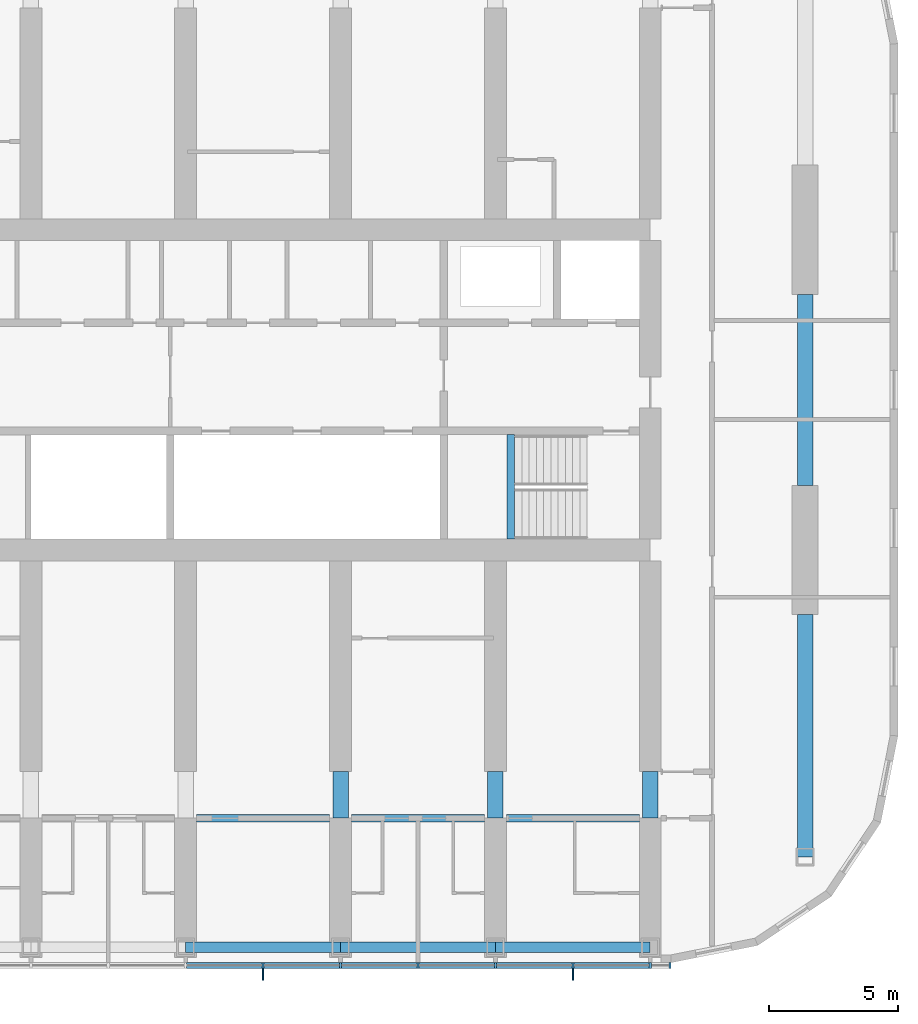
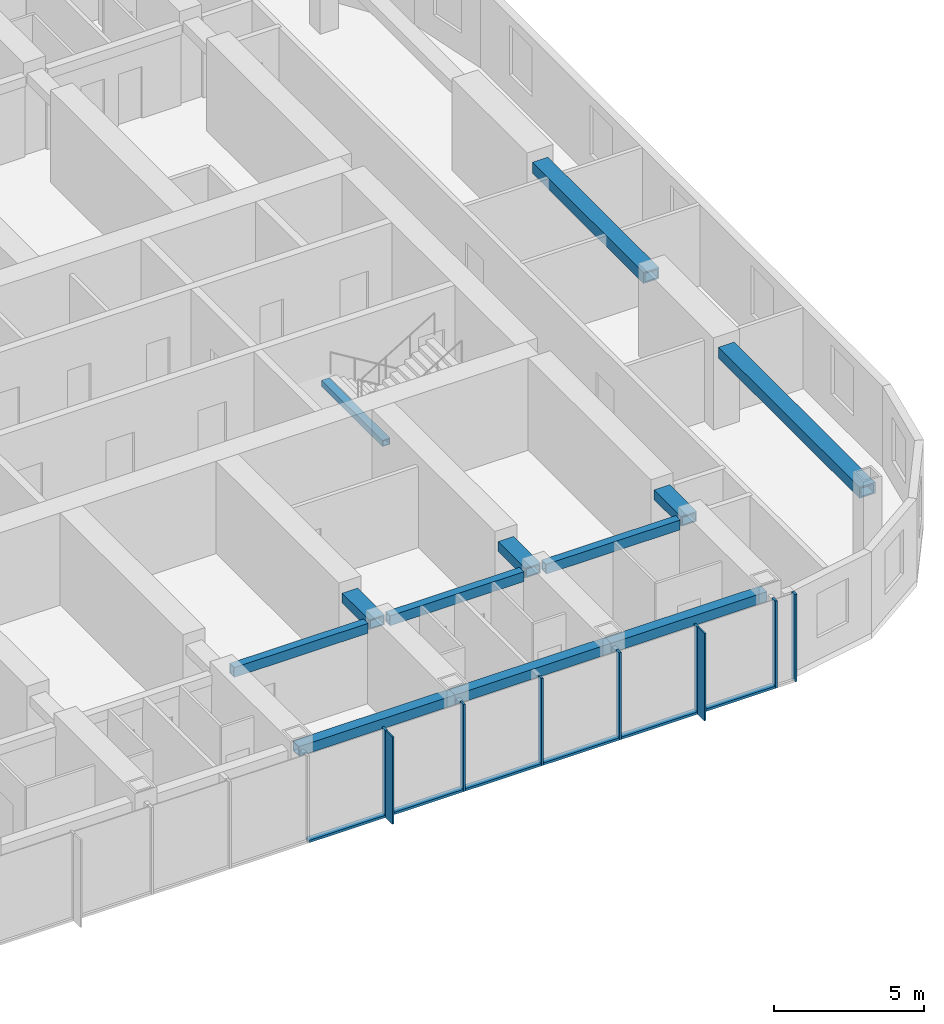
# One storey, part 3 of 23: 15 members, 12 beams, 1 element without a shape of its own.
"""IFC4 building model written with IfcOpenShell, lengths in metres."""

import ifcopenshell
import ifcopenshell.guid

model = None  # the IFC model being written
_history = None  # IfcOwnerHistory: only IFC2X3 demands one
_inside = {}  # id of a spatial element -> (the spatial element, [elements in it])
_under = {}  # id of a project, library or spatial element -> (it, [spatial elements below it])
_declared = {}  # id of a project -> (the project, [libraries it declares])
_typed = {}  # id of a type object -> (the type object, [elements of that type])
_made_of = {}  # id of a material, layer set ... -> (it, [elements and type objects made of it])


def new_model(schema):
    """Start an empty IFC model of exactly this schema.

    Asked for "IFC4X3", IfcOpenShell would pick the latest addendum, in which some entities
    have other attributes; the version numbers below select the first issue.
    IFC2X3 requires an IfcOwnerHistory on every rooted entity: one is made here for all.
    """
    global model, _history
    if schema == "IFC4X3":
        model = ifcopenshell.file(schema_version=(4, 3, 0, 0))
    else:
        model = ifcopenshell.file(schema=schema)
    _inside.clear()
    _under.clear()
    _declared.clear()
    _typed.clear()
    _made_of.clear()
    _history = None
    if model.schema == "IFC2X3":
        org = make("IfcOrganization", Name="unknown")
        user = make(
            "IfcPersonAndOrganization",
            ThePerson=make("IfcPerson", FamilyName="unknown"),
            TheOrganization=org,
        )
        app = make(
            "IfcApplication",
            ApplicationDeveloper=org,
            Version="unknown",
            ApplicationFullName="unknown",
            ApplicationIdentifier="unknown",
        )
        _history = make(
            "IfcOwnerHistory",
            OwningUser=user,
            OwningApplication=app,
            ChangeAction="ADDED",
            CreationDate=0,
        )
    return model


def make(cls, **values):
    """One entity of the class cls with the attributes given. An attribute that is None is left unset."""
    return model.create_entity(
        cls, **{name: value for name, value in values.items() if value is not None}
    )


def rooted(cls, **values):
    """An entity with a GlobalId (a new one), such as an element, a storey or a relation."""
    return make(cls, GlobalId=ifcopenshell.guid.new(), OwnerHistory=_history, **values)


def si_unit(unit_type, name, prefix=None):
    """IfcSIUnit, for example si_unit("LENGTHUNIT", "METRE", prefix="MILLI")."""
    return make("IfcSIUnit", UnitType=unit_type, Prefix=prefix, Name=name)


def assignment(units):
    """IfcUnitAssignment: the units of a project."""
    return None if units is None else make("IfcUnitAssignment", Units=units)


def point(xyz):
    """IfcCartesianPoint."""
    return None if xyz is None else make("IfcCartesianPoint", Coordinates=xyz)


def direction(xyz):
    """IfcDirection."""
    return None if xyz is None else make("IfcDirection", DirectionRatios=xyz)


def frame(location, z_axis=None, x_axis=None):
    """IfcAxis2Placement3D, a coordinate frame: its origin and axes. An axis left out is left unset."""
    return make(
        "IfcAxis2Placement3D",
        Location=point(location),
        Axis=direction(z_axis),
        RefDirection=direction(x_axis),
    )


def frame_2d(location, x_axis=None):
    """IfcAxis2Placement2D, a coordinate frame in the plane: its origin and x axis."""
    return make(
        "IfcAxis2Placement2D", Location=point(location), RefDirection=direction(x_axis)
    )


def origin():
    """The frame at (0, 0, 0) with its axes left unset."""
    return frame((0.0, 0.0, 0.0))


def origin_2d():
    """The frame at (0, 0) in the plane with its x axis left unset."""
    return frame_2d((0.0, 0.0))


def place(relative_to, where):
    """IfcLocalPlacement: puts the frame where relative to a parent placement (None: the world)."""
    return make(
        "IfcLocalPlacement", PlacementRelTo=relative_to, RelativePlacement=where
    )


def context(
    kind, dimensions, precision=None, world=None, true_north=None, identifier=None
):
    """IfcGeometricRepresentationContext, for example the 3D "Model" context."""
    return make(
        "IfcGeometricRepresentationContext",
        ContextIdentifier=identifier,
        ContextType=kind,
        CoordinateSpaceDimension=dimensions,
        Precision=precision,
        WorldCoordinateSystem=world,
        TrueNorth=true_north,
    )


def subcontext(parent, identifier, kind, view, scale=None):
    """IfcGeometricRepresentationSubContext, for example "Body" below "Model"."""
    return make(
        "IfcGeometricRepresentationSubContext",
        ContextIdentifier=identifier,
        ContextType=kind,
        ParentContext=parent,
        TargetScale=scale,
        TargetView=view,
    )


def project(units=None, contexts=None):
    """IfcProject with its units and contexts."""
    return rooted(
        "IfcProject",
        Name="project",
        RepresentationContexts=contexts,
        UnitsInContext=assignment(units),
    )


def spatial(cls, under=None, at=None, **own):
    """A site, building, storey or space (cls), placed at a placement, below another one or the project."""
    s = rooted(cls, ObjectPlacement=at, **own)
    if under is not None:
        _under.setdefault(under.id(), (under, []))[1].append(s)
    return s


def profile(cls, at=None, kind="AREA", **sizes):
    """A parametric profile (cls). Its sizes go by their IFC names, for example OverallWidth=200.0."""
    return make(cls, ProfileType=kind, Position=at, **sizes)


def rectangle(**sizes):
    """IfcRectangleProfileDef."""
    return profile("IfcRectangleProfileDef", **sizes)


def hollow_rectangle(**sizes):
    """IfcRectangleHollowProfileDef."""
    return profile("IfcRectangleHollowProfileDef", **sizes)


def extrude(swept, where, along, depth):
    """IfcExtrudedAreaSolid: the profile swept, set in the frame where, extruded along a direction by depth."""
    return make(
        "IfcExtrudedAreaSolid",
        SweptArea=swept,
        Position=where,
        ExtrudedDirection=direction(along),
        Depth=depth,
    )


def shape(context_of_items, identifier, shape_type, items):
    """IfcShapeRepresentation: the items that make up one representation, for example the "Body"."""
    return make(
        "IfcShapeRepresentation",
        ContextOfItems=context_of_items,
        RepresentationIdentifier=identifier,
        RepresentationType=shape_type,
        Items=items,
    )


def material(Name=None, Category=None):
    """IfcMaterial."""
    return make("IfcMaterial", Name=Name, Category=Category)


def material_profile(
    of_material, cross_section, Name=None, Category=None, Priority=None
):
    """IfcMaterialProfile: a cross section and its material."""
    return make(
        "IfcMaterialProfile",
        Name=Name,
        Material=of_material,
        Profile=cross_section,
        Priority=Priority,
        Category=Category,
    )


def profile_set(profiles, Name=None, composite=None):
    """IfcMaterialProfileSet."""
    return make(
        "IfcMaterialProfileSet",
        Name=Name,
        MaterialProfiles=profiles,
        CompositeProfile=composite,
    )


def made_of(thing, what):
    """Note that an element or type object is made of a material, layer set ...; save() writes the relation."""
    if what is not None:
        _made_of.setdefault(what.id(), (what, []))[1].append(thing)
    return thing


def type_object(cls, material=None, **own):
    """A type object (cls), such as IfcWallType, which elements share."""
    return made_of(rooted(cls, **own), material)


def element(
    cls,
    number,
    at=None,
    inside=None,
    cuts=None,
    type_object=None,
    material=None,
    context=None,
    identifier="Body",
    shape_type=None,
    held_by="IfcProductDefinitionShape",
    body=None,
    shapes=None,
    **own,
):
    """One element of the class cls, such as IfcWall. Its Tag is "e" and its number.

    at: its placement. inside: the storey or other place that contains it. cuts: it is an
    opening in that element (IfcRelVoidsElement). A single representation is given by context,
    identifier, shape_type and body (its items); several are given by shapes. held_by: the class
    of the entity that holds the representations. save() writes the other relations.
    """
    e = rooted(cls, Tag="e%d" % number, ObjectPlacement=at, **own)
    if body is not None:
        shapes = [shape(context, identifier, shape_type, body)]
    if shapes is not None:
        e.Representation = make(held_by, Representations=shapes)
    if inside is not None:
        _inside.setdefault(inside.id(), (inside, []))[1].append(e)
    if cuts is not None:
        rooted(
            "IfcRelVoidsElement", RelatingBuildingElement=cuts, RelatedOpeningElement=e
        )
    if type_object is not None:
        _typed.setdefault(type_object.id(), (type_object, []))[1].append(e)
    return made_of(e, material)


def aggregate(whole, parts):
    """IfcRelAggregates: a whole, such as a stair, and the parts it consists of."""
    return rooted("IfcRelAggregates", RelatingObject=whole, RelatedObjects=parts)


def save(model, path):
    """Write the relations noted so far, then the file.

    IfcRelAggregates (storeys below a building ...), IfcRelContainedInSpatialStructure (elements
    in a storey), IfcRelDefinesByType, IfcRelAssociatesMaterial and IfcRelDeclares: one each for
    every whole, place, type object, material and project.
    """
    for whole, parts in _under.values():
        aggregate(whole, parts)
    for where, things in _inside.values():
        rooted(
            "IfcRelContainedInSpatialStructure",
            RelatedElements=things,
            RelatingStructure=where,
        )
    for kind, things in _typed.values():
        rooted("IfcRelDefinesByType", RelatedObjects=things, RelatingType=kind)
    for what, things in _made_of.values():
        rooted("IfcRelAssociatesMaterial", RelatedObjects=things, RelatingMaterial=what)
    for by, libraries in _declared.values():
        rooted("IfcRelDeclares", RelatingContext=by, RelatedDefinitions=libraries)
    model.write(path)


model = new_model("IFC4")

# Units and contexts
model_context = context("Model", 3, precision=1e-05, world=origin(), true_north=direction((0.0, 1.0)))
body_context = subcontext(model_context, "Body", "Model", "MODEL_VIEW")
ifc_project = project(units=[si_unit("LENGTHUNIT", "METRE"), si_unit("AREAUNIT", "SQUARE_METRE"), si_unit("VOLUMEUNIT", "CUBIC_METRE"), si_unit("PLANEANGLEUNIT", "RADIAN"), si_unit("MASSUNIT", "GRAM", prefix="KILO")], contexts=[model_context])

# Site, building, storey
site_placement = place(None, origin())
site = spatial("IfcSite", under=ifc_project, at=site_placement, CompositionType="ELEMENT")
building_placement = place(site_placement, origin())
building = spatial("IfcBuilding", under=site, at=building_placement, Name="Orbita Commons", CompositionType="ELEMENT")
storey_placement = place(building_placement, frame((0.0, 0.0, 174.85009765625)))
storey = spatial("IfcBuildingStorey", under=building, at=storey_placement, Name="L43", CompositionType="ELEMENT", Elevation=174.85009765625)

# Curtain wall, members
ifc_material_1 = material(Name="Anodised aluminium frame, pale silver", Category="aluminium")
curtain_wall_type = type_object("IfcCurtainWallType", Name="Unitised curtain wall CW-U, full-height vision", PredefinedType="NOTDEFINED", material=ifc_material_1)
curtain_wall_placement = place(storey_placement, origin())
curtain_wall = element("IfcCurtainWall", 1, at=curtain_wall_placement, inside=storey, type_object=curtain_wall_type, Name="Curtain wall south L43", PredefinedType="NOTDEFINED")
ifc_material_2 = material(Name="Anodised aluminium, pale silver", Category="aluminium")
ifc_material_profile_1 = material_profile(ifc_material_2, rectangle(XDim=0.080078125, YDim=0.219970703125, at=origin_2d()), Name="AL 80x220")
ifc_profile_set_1 = profile_set([ifc_material_profile_1], Name="Anodised aluminium, pale silver")
member_type_1 = type_object("IfcMemberType", Name="Curtain wall mullion 80x220", PredefinedType="MULLION", material=ifc_profile_set_1)
member_1_placement = place(storey_placement, frame((51.0, 9.68994140625, -0.25), z_axis=(0.0, 0.0, 1.0), x_axis=(1.0, 0.0, 0.0)))
member_1 = element("IfcMember", 2, at=member_1_placement, type_object=member_type_1, Name="Mullion 13 CW-L43-S", PredefinedType="MULLION", context=body_context, shape_type="SweptSolid", body=[
    extrude(rectangle(XDim=0.080078125, YDim=0.219970703125, at=origin_2d()), origin(), (0.0, 0.0, 1.0), 3.5498046875),
])
member_2_placement = place(storey_placement, frame((54.0, 9.68994140625, -0.25), z_axis=(0.0, 0.0, 1.0), x_axis=(1.0, 0.0, 0.0)))
member_2 = element("IfcMember", 3, at=member_2_placement, type_object=member_type_1, Name="Mullion 14 CW-L43-S", PredefinedType="MULLION", context=body_context, shape_type="SweptSolid", body=[
    extrude(rectangle(XDim=0.080078125, YDim=0.219970703125, at=origin_2d()), origin(), (0.0, 0.0, 1.0), 3.5498046875),
])
member_3_placement = place(storey_placement, frame((57.0, 9.68994140625, -0.25), z_axis=(0.0, 0.0, 1.0), x_axis=(1.0, 0.0, 0.0)))
member_3 = element("IfcMember", 4, at=member_3_placement, type_object=member_type_1, Name="Mullion 15 CW-L43-S", PredefinedType="MULLION", context=body_context, shape_type="SweptSolid", body=[
    extrude(rectangle(XDim=0.080078125, YDim=0.219970703125, at=origin_2d()), origin(), (0.0, 0.0, 1.0), 3.5498046875),
])
member_4_placement = place(storey_placement, frame((60.0, 9.68994140625, -0.25), z_axis=(0.0, 0.0, 1.0), x_axis=(1.0, 0.0, 0.0)))
member_4 = element("IfcMember", 5, at=member_4_placement, type_object=member_type_1, Name="Mullion 16 CW-L43-S", PredefinedType="MULLION", context=body_context, shape_type="SweptSolid", body=[
    extrude(rectangle(XDim=0.080078125, YDim=0.219970703125, at=origin_2d()), origin(), (0.0, 0.0, 1.0), 3.5498046875),
])
member_5_placement = place(storey_placement, frame((63.0, 9.68994140625, -0.25), z_axis=(0.0, 0.0, 1.0), x_axis=(1.0, 0.0, 0.0)))
member_5 = element("IfcMember", 6, at=member_5_placement, type_object=member_type_1, Name="Mullion 17 CW-L43-S", PredefinedType="MULLION", context=body_context, shape_type="SweptSolid", body=[
    extrude(rectangle(XDim=0.080078125, YDim=0.219970703125, at=origin_2d()), origin(), (0.0, 0.0, 1.0), 3.5498046875),
])
member_6_placement = place(storey_placement, frame((66.0, 9.68994140625, -0.25), z_axis=(0.0, 0.0, 1.0), x_axis=(1.0, 0.0, 0.0)))
member_6 = element("IfcMember", 7, at=member_6_placement, type_object=member_type_1, Name="Mullion 18 CW-L43-S", PredefinedType="MULLION", context=body_context, shape_type="SweptSolid", body=[
    extrude(rectangle(XDim=0.080078125, YDim=0.219970703125, at=origin_2d()), origin(), (0.0, 0.0, 1.0), 3.5498046875),
])
member_7_placement = place(storey_placement, frame((66.760009765625, 9.68994140625, -0.25), z_axis=(0.0, 0.0, 1.0), x_axis=(1.0, 0.0, 0.0)))
member_7 = element("IfcMember", 8, at=member_7_placement, type_object=member_type_1, Name="Mullion 19 CW-L43-S", PredefinedType="MULLION", context=body_context, shape_type="SweptSolid", body=[
    extrude(rectangle(XDim=0.080078125, YDim=0.219970703125, at=origin_2d()), origin(), (0.0, 0.0, 1.0), 3.5498046875),
])
ifc_material_3 = material(Name="Anodised aluminium, pale silver", Category="aluminium")
ifc_material_profile_2 = material_profile(ifc_material_3, rectangle(XDim=0.219970703125, YDim=0.10009765625, at=origin_2d()), Name="AL 220x100")
ifc_profile_set_2 = profile_set([ifc_material_profile_2], Name="Anodised aluminium, pale silver")
member_type_2 = type_object("IfcMemberType", Name="Curtain wall stack transom 220x100", PredefinedType="USERDEFINED", material=ifc_profile_set_2)
member_8_placement = place(storey_placement, frame((48.0400390625, 9.68994140625, -0.2001953125), z_axis=(1.0, 0.0, 0.0), x_axis=(0.0, 1.0, 0.0)))
member_8 = element("IfcMember", 9, at=member_8_placement, type_object=member_type_2, Name="Transom 12.1 CW-L43-S", ObjectType="TRANSOM", PredefinedType="USERDEFINED", context=body_context, shape_type="SweptSolid", body=[
    extrude(rectangle(XDim=0.219970703125, YDim=0.10009765625, at=origin_2d()), origin(), (0.0, 0.0, 1.0), 2.919921875),
])
member_9_placement = place(storey_placement, frame((51.0400390625, 9.68994140625, -0.2001953125), z_axis=(1.0, 0.0, 0.0), x_axis=(0.0, 1.0, 0.0)))
member_9 = element("IfcMember", 10, at=member_9_placement, type_object=member_type_2, Name="Transom 13.1 CW-L43-S", ObjectType="TRANSOM", PredefinedType="USERDEFINED", context=body_context, shape_type="SweptSolid", body=[
    extrude(rectangle(XDim=0.219970703125, YDim=0.10009765625, at=origin_2d()), origin(), (0.0, 0.0, 1.0), 2.919921875),
])
member_10_placement = place(storey_placement, frame((54.0400390625, 9.68994140625, -0.2001953125), z_axis=(1.0, 0.0, 0.0), x_axis=(0.0, 1.0, 0.0)))
member_10 = element("IfcMember", 11, at=member_10_placement, type_object=member_type_2, Name="Transom 14.1 CW-L43-S", ObjectType="TRANSOM", PredefinedType="USERDEFINED", context=body_context, shape_type="SweptSolid", body=[
    extrude(rectangle(XDim=0.219970703125, YDim=0.10009765625, at=origin_2d()), origin(), (0.0, 0.0, 1.0), 2.919921875),
])
member_11_placement = place(storey_placement, frame((57.0400390625, 9.68994140625, -0.2001953125), z_axis=(1.0, 0.0, 0.0), x_axis=(0.0, 1.0, 0.0)))
member_11 = element("IfcMember", 12, at=member_11_placement, type_object=member_type_2, Name="Transom 15.1 CW-L43-S", ObjectType="TRANSOM", PredefinedType="USERDEFINED", context=body_context, shape_type="SweptSolid", body=[
    extrude(rectangle(XDim=0.219970703125, YDim=0.10009765625, at=origin_2d()), origin(), (0.0, 0.0, 1.0), 2.919921875),
])
member_12_placement = place(storey_placement, frame((60.0400390625, 9.68994140625, -0.2001953125), z_axis=(1.0, 0.0, 0.0), x_axis=(0.0, 1.0, 0.0)))
member_12 = element("IfcMember", 13, at=member_12_placement, type_object=member_type_2, Name="Transom 16.1 CW-L43-S", ObjectType="TRANSOM", PredefinedType="USERDEFINED", context=body_context, shape_type="SweptSolid", body=[
    extrude(rectangle(XDim=0.219970703125, YDim=0.10009765625, at=origin_2d()), origin(), (0.0, 0.0, 1.0), 2.919921875),
])
member_13_placement = place(storey_placement, frame((63.0400390625, 9.68994140625, -0.2001953125), z_axis=(1.0, 0.0, 0.0), x_axis=(0.0, 1.0, 0.0)))
member_13 = element("IfcMember", 14, at=member_13_placement, type_object=member_type_2, Name="Transom 17.1 CW-L43-S", ObjectType="TRANSOM", PredefinedType="USERDEFINED", context=body_context, shape_type="SweptSolid", body=[
    extrude(rectangle(XDim=0.219970703125, YDim=0.10009765625, at=origin_2d()), origin(), (0.0, 0.0, 1.0), 2.919921875),
])

# Beams
ifc_material_4 = material(Name="Steel ASTM A572 Gr 50 welded plate", Category="steel")
ifc_material_profile_3 = material_profile(ifc_material_4, hollow_rectangle(XDim=0.300048828125, YDim=0.25, WallThickness=0.02490234375, at=origin_2d()), Name="BOX 250x300x25")
ifc_profile_set_3 = profile_set([ifc_material_profile_3], Name="Steel ASTM A572 Gr 50 welded plate")
beam_type_1 = type_object("IfcBeamType", Name="Stair landing beam steel BOX 250x300x25", PredefinedType="BEAM", material=ifc_profile_set_3)
beam_1_placement = place(storey_placement, frame((60.60009765625, 26.2099609375, 1.5498046875), z_axis=(0.0, 1.0, 0.0), x_axis=(-1.0, 0.0, 0.0)))
element("IfcBeam", 15, at=beam_1_placement, inside=storey, type_object=beam_type_1, Name="Stair S2 landing beam L43 1", PredefinedType="BEAM", context=body_context, shape_type="SweptSolid", body=[
    extrude(hollow_rectangle(XDim=0.300048828125, YDim=0.25, WallThickness=0.02490234375, at=origin_2d()), origin(), (0.0, 0.0, 1.0), 4.054931640625),
])
ifc_material_5 = material(Name="Steel ASTM A572 Gr 50 welded plate", Category="steel")
ifc_material_profile_4 = material_profile(ifc_material_5, hollow_rectangle(XDim=0.300048828125, YDim=0.39990234375, WallThickness=0.0400390625, at=origin_2d()), Name="BOX 400x300x40")
ifc_profile_set_4 = profile_set([ifc_material_profile_4], Name="Steel ASTM A572 Gr 50 welded plate")
beam_type_2 = type_object("IfcBeamType", Name="Steel corridor link BOX 400x300x40", PredefinedType="BEAM", material=ifc_profile_set_4)
for number, where, z_axis, x_axis, name in (
    (16, (48.425048828125, 15.39990234375, 3.099853515625), (1.0, 0.0, 0.0), (0.0, 1.0, 0.0), "Corridor beam SA 9-10 L43"),
    (17, (54.425048828125, 15.39990234375, 3.099853515625), (1.0, 0.0, 0.0), (0.0, 1.0, 0.0), "Corridor beam SA 10-11 L43"),
    (18, (60.425048828125, 15.39990234375, 3.099853515625), (1.0, 0.0, 0.0), (0.0, 1.0, 0.0), "Corridor beam SA 11-12 L43"),
):
    element("IfcBeam", number, at=place(storey_placement, frame(where, z_axis=z_axis, x_axis=x_axis)), inside=storey, type_object=beam_type_2, Name=name, PredefinedType="BEAM", context=body_context, shape_type="SweptSolid", body=[
        extrude(hollow_rectangle(XDim=0.300048828125, YDim=0.39990234375, WallThickness=0.0400390625, at=origin_2d()), origin(), (0.0, 0.0, 1.0), 5.14990234375),
    ])
ifc_material_6 = material(Name="Steel ASTM A572 Gr 50 welded plate", Category="steel")
ifc_material_profile_5 = material_profile(ifc_material_6, hollow_rectangle(XDim=0.60009765625, YDim=0.39990234375, WallThickness=0.050048828125, at=origin_2d()), Name="BOX 400x600x50")
ifc_profile_set_5 = profile_set([ifc_material_profile_5], Name="Steel ASTM A572 Gr 50 welded plate")
beam_type_3 = type_object("IfcBeamType", Name="Steel coupling link BOX 400x600x50", PredefinedType="LINTEL", material=ifc_profile_set_5)
for number, where, z_axis, x_axis, name in (
    (19, (54.0, 15.39990234375, 3.099853515625), (0.0, 1.0, 0.0), (-1.0, 0.0, 0.0), "Coupling beam 10 south L43"),
    (20, (60.0, 15.39990234375, 3.099853515625), (0.0, 1.0, 0.0), (-1.0, 0.0, 0.0), "Coupling beam 11 south L43"),
    (21, (66.0, 15.39990234375, 3.099853515625), (0.0, 1.0, 0.0), (-1.0, 0.0, 0.0), "Coupling beam 12 south L43"),
):
    element("IfcBeam", number, at=place(storey_placement, frame(where, z_axis=z_axis, x_axis=x_axis)), inside=storey, type_object=beam_type_3, Name=name, PredefinedType="LINTEL", context=body_context, shape_type="SweptSolid", body=[
        extrude(hollow_rectangle(XDim=0.60009765625, YDim=0.39990234375, WallThickness=0.050048828125, at=origin_2d()), origin(), (0.0, 0.0, 1.0), 1.800048828125),
    ])
ifc_material_7 = material(Name="Steel ASTM A572 Gr 50 welded plate", Category="steel")
ifc_material_profile_6 = material_profile(ifc_material_7, hollow_rectangle(XDim=0.60009765625, YDim=0.449951171875, WallThickness=0.06005859375, at=origin_2d()), Name="BOX 450x600x60")
ifc_profile_set_6 = profile_set([ifc_material_profile_6], Name="Steel ASTM A572 Gr 50 welded plate")
beam_type_4 = type_object("IfcBeamType", Name="Steel end frame link BOX 450x600x60", PredefinedType="BEAM", material=ifc_profile_set_6)
beam_2_placement = place(storey_placement, frame((72.0, 13.89990234375, 3.074951171875), z_axis=(0.0, 1.0, 0.0), x_axis=(-1.0, 0.0, 0.0)))
element("IfcBeam", 22, at=beam_2_placement, inside=storey, type_object=beam_type_4, Name="End frame beam 13 B-C L43", PredefinedType="BEAM", context=body_context, shape_type="SweptSolid", body=[
    extrude(hollow_rectangle(XDim=0.60009765625, YDim=0.449951171875, WallThickness=0.06005859375, at=origin_2d()), origin(), (0.0, 0.0, 1.0), 9.400146484375),
])
beam_3_placement = place(storey_placement, frame((72.0, 28.300048828125, 3.074951171875), z_axis=(0.0, 1.0, 0.0), x_axis=(-1.0, 0.0, 0.0)))
element("IfcBeam", 23, at=beam_3_placement, inside=storey, type_object=beam_type_4, Name="End frame beam 13 C-D L43", PredefinedType="BEAM", context=body_context, shape_type="SweptSolid", body=[
    extrude(hollow_rectangle(XDim=0.60009765625, YDim=0.449951171875, WallThickness=0.06005859375, at=origin_2d()), origin(), (0.0, 0.0, 1.0), 7.39990234375),
])
ifc_material_8 = material(Name="Steel ASTM A572 Gr 50 welded plate", Category="steel")
ifc_material_profile_7 = material_profile(ifc_material_8, hollow_rectangle(XDim=0.39990234375, YDim=0.39990234375, WallThickness=0.0400390625, at=origin_2d()), Name="BOX 400x400x40")
ifc_profile_set_7 = profile_set([ifc_material_profile_7], Name="Steel ASTM A572 Gr 50 welded plate")
beam_type_5 = type_object("IfcBeamType", Name="Steel spandrel BOX 400x400x40", PredefinedType="SPANDREL", material=ifc_profile_set_7)
for number, where, z_axis, x_axis, name in (
    (24, (48.0, 10.39990234375, 3.099853515625), (1.0, 0.0, 0.0), (0.0, 1.0, 0.0), "Spandrel beam B 9-10 L43"),
    (25, (54.0, 10.39990234375, 3.099853515625), (1.0, 0.0, 0.0), (0.0, 1.0, 0.0), "Spandrel beam B 10-11 L43"),
    (26, (60.0, 10.39990234375, 3.099853515625), (1.0, 0.0, 0.0), (0.0, 1.0, 0.0), "Spandrel beam B 11-12 L43"),
):
    element("IfcBeam", number, at=place(storey_placement, frame(where, z_axis=z_axis, x_axis=x_axis)), inside=storey, type_object=beam_type_5, Name=name, PredefinedType="SPANDREL", context=body_context, shape_type="SweptSolid", body=[
        extrude(hollow_rectangle(XDim=0.39990234375, YDim=0.39990234375, WallThickness=0.0400390625, at=origin_2d()), origin(), (0.0, 0.0, 1.0), 6.0),
    ])

# Member
ifc_material_9 = material(Name="Anodised aluminium, pale silver", Category="aluminium")
ifc_material_profile_8 = material_profile(ifc_material_9, rectangle(XDim=0.06005859375, YDim=0.449951171875, at=origin_2d()), Name="FIN 60x450")
ifc_profile_set_8 = profile_set([ifc_material_profile_8], Name="Anodised aluminium, pale silver")
member_type_3 = type_object("IfcMemberType", Name="Vertical fin 60x450 pale aluminium", PredefinedType="USERDEFINED", material=ifc_profile_set_8)
member_14_placement = place(storey_placement, frame((51.0, 9.35498046875, -0.25), z_axis=(0.0, 0.0, 1.0), x_axis=(1.0, 0.0, 0.0)))
member_14 = element("IfcMember", 27, at=member_14_placement, type_object=member_type_3, Name="Fin 13 CW-L43-S", ObjectType="FIN", PredefinedType="USERDEFINED", context=body_context, shape_type="SweptSolid", body=[
    extrude(rectangle(XDim=0.06005859375, YDim=0.449951171875, at=origin_2d()), origin(), (0.0, 0.0, 1.0), 3.5498046875),
])

member_15_placement = place(storey_placement, frame((63.0, 9.35498046875, -0.25), z_axis=(0.0, 0.0, 1.0), x_axis=(1.0, 0.0, 0.0)))
member_15 = element("IfcMember", 28, at=member_15_placement, type_object=member_type_3, Name="Fin 17 CW-L43-S", ObjectType="FIN", PredefinedType="USERDEFINED", context=body_context, shape_type="SweptSolid", body=[
    extrude(rectangle(XDim=0.06005859375, YDim=0.449951171875, at=origin_2d()), origin(), (0.0, 0.0, 1.0), 3.5498046875),
])

aggregate(curtain_wall, [member_1, member_14, member_2, member_3, member_4, member_5, member_15, member_6, member_7, member_8, member_9, member_10, member_11, member_12, member_13])

save(model, "model.ifc")
